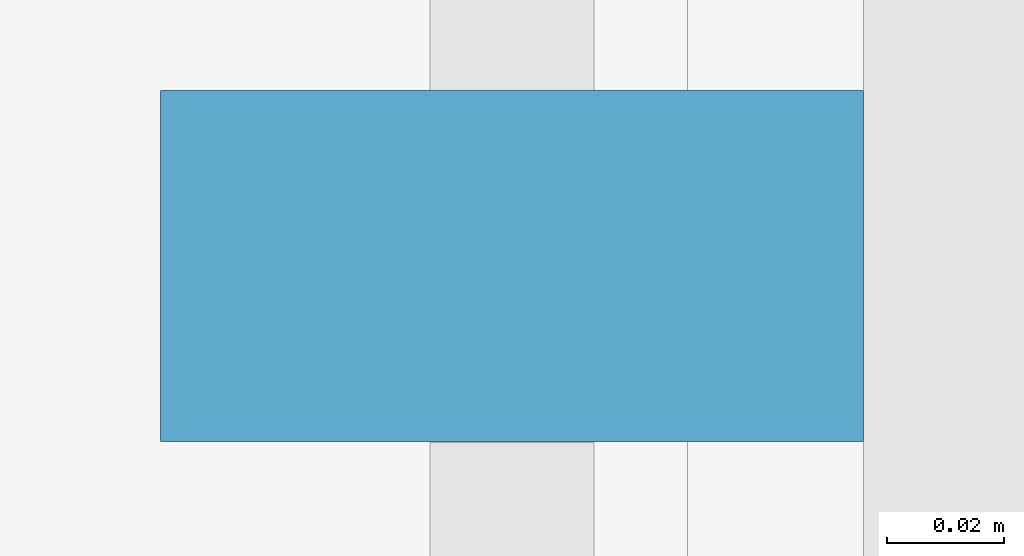
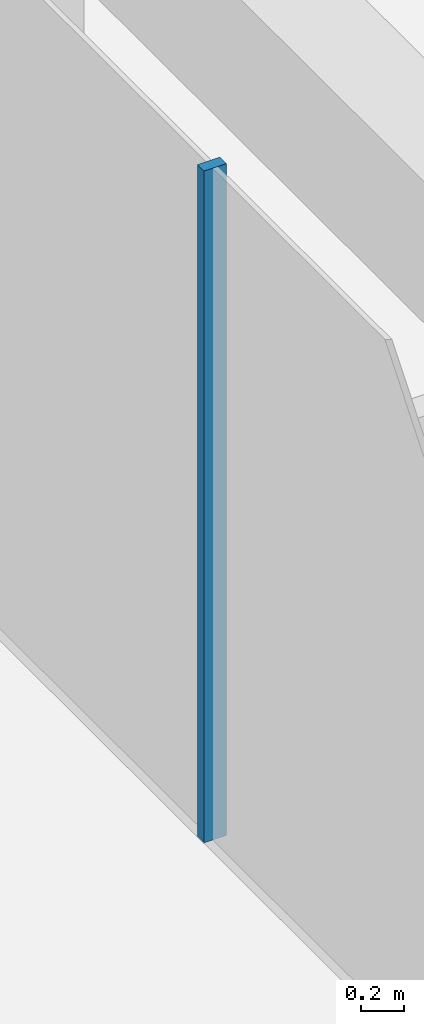
# One storey, part 8 of 22: 1 member, 1 element without a shape of its own.
"""IFC4 building model written with IfcOpenShell, lengths in metres."""

import ifcopenshell
import ifcopenshell.guid

model = None  # the IFC model being written
_history = None  # IfcOwnerHistory: only IFC2X3 demands one
_inside = {}  # id of a spatial element -> (the spatial element, [elements in it])
_under = {}  # id of a project, library or spatial element -> (it, [spatial elements below it])
_declared = {}  # id of a project -> (the project, [libraries it declares])
_typed = {}  # id of a type object -> (the type object, [elements of that type])
_made_of = {}  # id of a material, layer set ... -> (it, [elements and type objects made of it])


def new_model(schema):
    """Start an empty IFC model of exactly this schema.

    Asked for "IFC4X3", IfcOpenShell would pick the latest addendum, in which some entities
    have other attributes; the version numbers below select the first issue.
    IFC2X3 requires an IfcOwnerHistory on every rooted entity: one is made here for all.
    """
    global model, _history
    if schema == "IFC4X3":
        model = ifcopenshell.file(schema_version=(4, 3, 0, 0))
    else:
        model = ifcopenshell.file(schema=schema)
    _inside.clear()
    _under.clear()
    _declared.clear()
    _typed.clear()
    _made_of.clear()
    _history = None
    if model.schema == "IFC2X3":
        org = make("IfcOrganization", Name="unknown")
        user = make(
            "IfcPersonAndOrganization",
            ThePerson=make("IfcPerson", FamilyName="unknown"),
            TheOrganization=org,
        )
        app = make(
            "IfcApplication",
            ApplicationDeveloper=org,
            Version="unknown",
            ApplicationFullName="unknown",
            ApplicationIdentifier="unknown",
        )
        _history = make(
            "IfcOwnerHistory",
            OwningUser=user,
            OwningApplication=app,
            ChangeAction="ADDED",
            CreationDate=0,
        )
    return model


def make(cls, **values):
    """One entity of the class cls with the attributes given. An attribute that is None is left unset."""
    return model.create_entity(
        cls, **{name: value for name, value in values.items() if value is not None}
    )


def rooted(cls, **values):
    """An entity with a GlobalId (a new one), such as an element, a storey or a relation."""
    return make(cls, GlobalId=ifcopenshell.guid.new(), OwnerHistory=_history, **values)


def si_unit(unit_type, name, prefix=None):
    """IfcSIUnit, for example si_unit("LENGTHUNIT", "METRE", prefix="MILLI")."""
    return make("IfcSIUnit", UnitType=unit_type, Prefix=prefix, Name=name)


def assignment(units):
    """IfcUnitAssignment: the units of a project."""
    return None if units is None else make("IfcUnitAssignment", Units=units)


def point(xyz):
    """IfcCartesianPoint."""
    return None if xyz is None else make("IfcCartesianPoint", Coordinates=xyz)


def direction(xyz):
    """IfcDirection."""
    return None if xyz is None else make("IfcDirection", DirectionRatios=xyz)


def frame(location, z_axis=None, x_axis=None):
    """IfcAxis2Placement3D, a coordinate frame: its origin and axes. An axis left out is left unset."""
    return make(
        "IfcAxis2Placement3D",
        Location=point(location),
        Axis=direction(z_axis),
        RefDirection=direction(x_axis),
    )


def frame_2d(location, x_axis=None):
    """IfcAxis2Placement2D, a coordinate frame in the plane: its origin and x axis."""
    return make(
        "IfcAxis2Placement2D", Location=point(location), RefDirection=direction(x_axis)
    )


def origin():
    """The frame at (0, 0, 0) with its axes left unset."""
    return frame((0.0, 0.0, 0.0))


def origin_2d():
    """The frame at (0, 0) in the plane with its x axis left unset."""
    return frame_2d((0.0, 0.0))


def place(relative_to, where):
    """IfcLocalPlacement: puts the frame where relative to a parent placement (None: the world)."""
    return make(
        "IfcLocalPlacement", PlacementRelTo=relative_to, RelativePlacement=where
    )


def context(
    kind, dimensions, precision=None, world=None, true_north=None, identifier=None
):
    """IfcGeometricRepresentationContext, for example the 3D "Model" context."""
    return make(
        "IfcGeometricRepresentationContext",
        ContextIdentifier=identifier,
        ContextType=kind,
        CoordinateSpaceDimension=dimensions,
        Precision=precision,
        WorldCoordinateSystem=world,
        TrueNorth=true_north,
    )


def subcontext(parent, identifier, kind, view, scale=None):
    """IfcGeometricRepresentationSubContext, for example "Body" below "Model"."""
    return make(
        "IfcGeometricRepresentationSubContext",
        ContextIdentifier=identifier,
        ContextType=kind,
        ParentContext=parent,
        TargetScale=scale,
        TargetView=view,
    )


def project(units=None, contexts=None):
    """IfcProject with its units and contexts."""
    return rooted(
        "IfcProject",
        Name="project",
        RepresentationContexts=contexts,
        UnitsInContext=assignment(units),
    )


def spatial(cls, under=None, at=None, **own):
    """A site, building, storey or space (cls), placed at a placement, below another one or the project."""
    s = rooted(cls, ObjectPlacement=at, **own)
    if under is not None:
        _under.setdefault(under.id(), (under, []))[1].append(s)
    return s


def profile(cls, at=None, kind="AREA", **sizes):
    """A parametric profile (cls). Its sizes go by their IFC names, for example OverallWidth=200.0."""
    return make(cls, ProfileType=kind, Position=at, **sizes)


def rectangle(**sizes):
    """IfcRectangleProfileDef."""
    return profile("IfcRectangleProfileDef", **sizes)


def extrude(swept, where, along, depth):
    """IfcExtrudedAreaSolid: the profile swept, set in the frame where, extruded along a direction by depth."""
    return make(
        "IfcExtrudedAreaSolid",
        SweptArea=swept,
        Position=where,
        ExtrudedDirection=direction(along),
        Depth=depth,
    )


def shape(context_of_items, identifier, shape_type, items):
    """IfcShapeRepresentation: the items that make up one representation, for example the "Body"."""
    return make(
        "IfcShapeRepresentation",
        ContextOfItems=context_of_items,
        RepresentationIdentifier=identifier,
        RepresentationType=shape_type,
        Items=items,
    )


def material(Name=None, Category=None):
    """IfcMaterial."""
    return make("IfcMaterial", Name=Name, Category=Category)


def layer(
    of_material, thickness, ventilated=None, Name=None, Category=None, Priority=None
):
    """IfcMaterialLayer: one layer of a wall or slab, of a material (None: an air gap)."""
    return make(
        "IfcMaterialLayer",
        Material=of_material,
        LayerThickness=thickness,
        IsVentilated=ventilated,
        Name=Name,
        Category=Category,
        Priority=Priority,
    )


def layer_set(layers, Name=None):
    """IfcMaterialLayerSet."""
    return make("IfcMaterialLayerSet", MaterialLayers=layers, LayerSetName=Name)


def material_profile(
    of_material, cross_section, Name=None, Category=None, Priority=None
):
    """IfcMaterialProfile: a cross section and its material."""
    return make(
        "IfcMaterialProfile",
        Name=Name,
        Material=of_material,
        Profile=cross_section,
        Priority=Priority,
        Category=Category,
    )


def profile_set(profiles, Name=None, composite=None):
    """IfcMaterialProfileSet."""
    return make(
        "IfcMaterialProfileSet",
        Name=Name,
        MaterialProfiles=profiles,
        CompositeProfile=composite,
    )


def made_of(thing, what):
    """Note that an element or type object is made of a material, layer set ...; save() writes the relation."""
    if what is not None:
        _made_of.setdefault(what.id(), (what, []))[1].append(thing)
    return thing


def type_object(cls, material=None, **own):
    """A type object (cls), such as IfcWallType, which elements share."""
    return made_of(rooted(cls, **own), material)


def element(
    cls,
    number,
    at=None,
    inside=None,
    cuts=None,
    type_object=None,
    material=None,
    context=None,
    identifier="Body",
    shape_type=None,
    held_by="IfcProductDefinitionShape",
    body=None,
    shapes=None,
    **own,
):
    """One element of the class cls, such as IfcWall. Its Tag is "e" and its number.

    at: its placement. inside: the storey or other place that contains it. cuts: it is an
    opening in that element (IfcRelVoidsElement). A single representation is given by context,
    identifier, shape_type and body (its items); several are given by shapes. held_by: the class
    of the entity that holds the representations. save() writes the other relations.
    """
    e = rooted(cls, Tag="e%d" % number, ObjectPlacement=at, **own)
    if body is not None:
        shapes = [shape(context, identifier, shape_type, body)]
    if shapes is not None:
        e.Representation = make(held_by, Representations=shapes)
    if inside is not None:
        _inside.setdefault(inside.id(), (inside, []))[1].append(e)
    if cuts is not None:
        rooted(
            "IfcRelVoidsElement", RelatingBuildingElement=cuts, RelatedOpeningElement=e
        )
    if type_object is not None:
        _typed.setdefault(type_object.id(), (type_object, []))[1].append(e)
    return made_of(e, material)


def aggregate(whole, parts):
    """IfcRelAggregates: a whole, such as a stair, and the parts it consists of."""
    return rooted("IfcRelAggregates", RelatingObject=whole, RelatedObjects=parts)


def save(model, path):
    """Write the relations noted so far, then the file.

    IfcRelAggregates (storeys below a building ...), IfcRelContainedInSpatialStructure (elements
    in a storey), IfcRelDefinesByType, IfcRelAssociatesMaterial and IfcRelDeclares: one each for
    every whole, place, type object, material and project.
    """
    for whole, parts in _under.values():
        aggregate(whole, parts)
    for where, things in _inside.values():
        rooted(
            "IfcRelContainedInSpatialStructure",
            RelatedElements=things,
            RelatingStructure=where,
        )
    for kind, things in _typed.values():
        rooted("IfcRelDefinesByType", RelatedObjects=things, RelatingType=kind)
    for what, things in _made_of.values():
        rooted("IfcRelAssociatesMaterial", RelatedObjects=things, RelatingMaterial=what)
    for by, libraries in _declared.values():
        rooted("IfcRelDeclares", RelatingContext=by, RelatedDefinitions=libraries)
    model.write(path)


model = new_model("IFC4")

# Units and contexts
model_context = context("Model", 3, precision=1e-05, world=origin(), true_north=direction((0.0, 1.0)))
body_context = subcontext(model_context, "Body", "Model", "MODEL_VIEW")
ifc_project = project(units=[si_unit("LENGTHUNIT", "METRE"), si_unit("AREAUNIT", "SQUARE_METRE"), si_unit("VOLUMEUNIT", "CUBIC_METRE"), si_unit("PLANEANGLEUNIT", "RADIAN"), si_unit("MASSUNIT", "GRAM", prefix="KILO")], contexts=[model_context])

# Site, building, storey
site_placement = place(None, origin())
site = spatial("IfcSite", under=ifc_project, at=site_placement, CompositionType="ELEMENT")
building_placement = place(site_placement, origin())
building = spatial("IfcBuilding", under=site, at=building_placement, Name="Welwitschia Terrace Campus", CompositionType="ELEMENT")
storey_placement = place(building_placement, frame((0.0, 0.0, 268.39990234375)))
storey = spatial("IfcBuildingStorey", under=building, at=storey_placement, Name="L59", CompositionType="ELEMENT", Elevation=268.39990234375)

# Curtain wall, member
ifc_material_1 = material(Name="Bronze anodised aluminium", Category="aluminium")
ifc_layer = layer(ifc_material_1, 0.1201171875)
ifc_layer_set = layer_set([ifc_layer], Name="Bronze anodised aluminium")
curtain_wall_type = type_object("IfcCurtainWallType", Name="Curtain wall CW2 tower 6000", PredefinedType="NOTDEFINED", material=ifc_layer_set)
curtain_wall_placement = place(storey_placement, origin())
curtain_wall = element("IfcCurtainWall", 1, at=curtain_wall_placement, inside=storey, type_object=curtain_wall_type, Name="CW L59.0.0", PredefinedType="NOTDEFINED")
ifc_material_2 = material(Name="Bronze anodised aluminium", Category="aluminium")
ifc_material_profile = material_profile(ifc_material_2, rectangle(XDim=0.1201171875, YDim=0.06005859375, at=origin_2d()))
ifc_profile_set = profile_set([ifc_material_profile], Name="Bronze anodised aluminium")
member_type = type_object("IfcMemberType", Name="Mullion 60x120", PredefinedType="MULLION", material=ifc_profile_set)
member_placement = place(storey_placement, frame((-1.030029296875, 46.00390625, 0.0), z_axis=(0.0, 0.0, 1.0), x_axis=(1.0, 0.0, 0.0)))
member = element("IfcMember", 2, at=member_placement, type_object=member_type, Name="Mullion L59.0.0.3", PredefinedType="MULLION", context=body_context, shape_type="SweptSolid", body=[
    extrude(rectangle(XDim=0.1201171875, YDim=0.06005859375, at=origin_2d()), origin(), (0.0, 0.0, 1.0), 3.800048828125),
])
aggregate(curtain_wall, [member])

save(model, "model.ifc")
